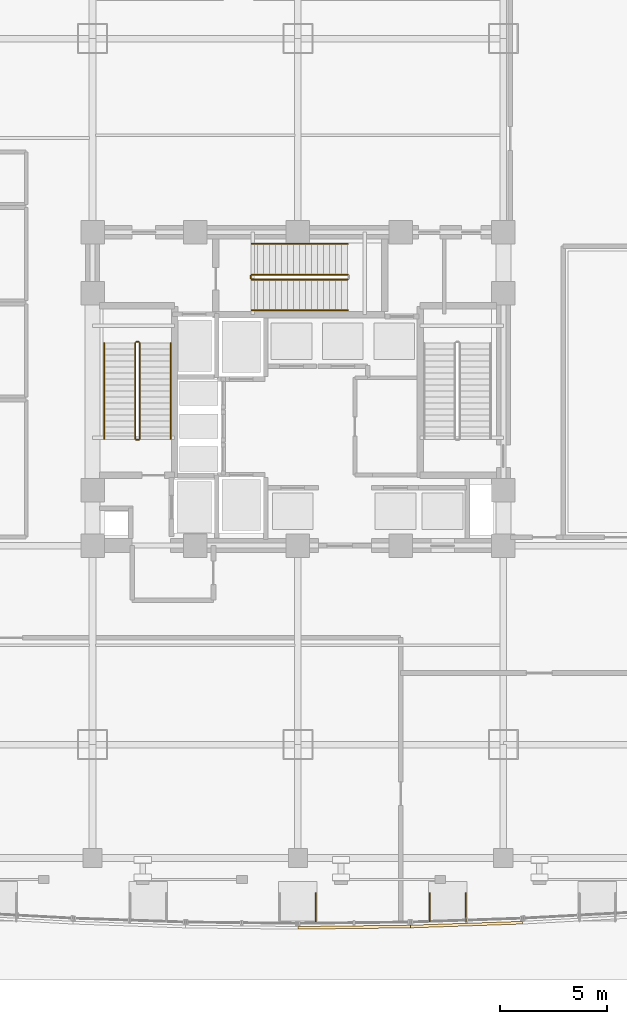
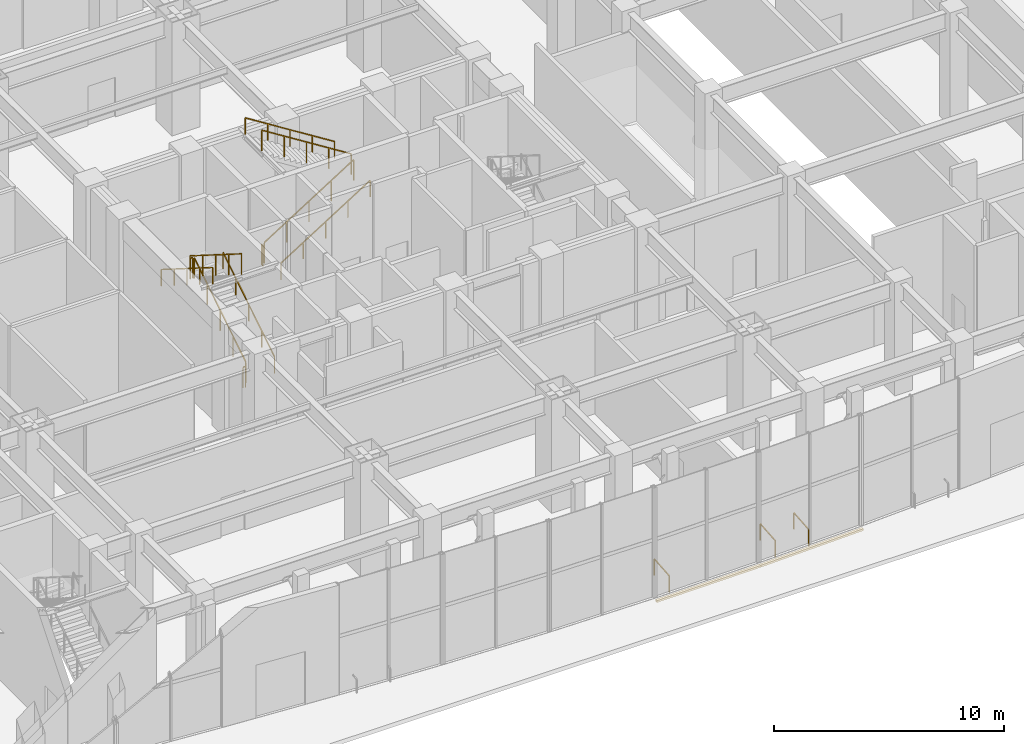
# One storey, part 18 of 23: 14 railings, 2 coverings.
"""IFC4 building model written with IfcOpenShell, lengths in metres."""

from ifc_helpers import new_model, si_unit, direction, frame, origin, origin_2d, place, context, subcontext, project, spatial, polyline, rectangle, outline, extrude, material, layer, layer_set, type_object, element, save


model = new_model("IFC4")

# Units and contexts
model_context = context("Model", 3, precision=1e-05, world=origin(), true_north=direction((0.0, 1.0)))
body_context = subcontext(model_context, "Body", "Model", "MODEL_VIEW")
ifc_project = project(units=[si_unit("LENGTHUNIT", "METRE"), si_unit("AREAUNIT", "SQUARE_METRE"), si_unit("VOLUMEUNIT", "CUBIC_METRE"), si_unit("PLANEANGLEUNIT", "RADIAN"), si_unit("MASSUNIT", "GRAM", prefix="KILO")], contexts=[model_context])

# Site, building, storey
site_placement = place(None, origin())
site = spatial("IfcSite", under=ifc_project, at=site_placement, CompositionType="ELEMENT")
building_placement = place(site_placement, origin())
building = spatial("IfcBuilding", under=site, at=building_placement, Name="Vantalir Tower", CompositionType="ELEMENT")
storey_placement = place(building_placement, origin())
storey = spatial("IfcBuildingStorey", under=building, at=storey_placement, Name="L00", CompositionType="ELEMENT", Elevation=0.0)

# Coverings
ifc_material_1 = material(Name="Anodised champagne aluminium sill fascia", Category="aluminium")
ifc_layer = layer(ifc_material_1, 0.125)
ifc_layer_set = layer_set([ifc_layer], Name="Anodised champagne aluminium sill fascia")
covering_type = type_object("IfcCoveringType", Name="COV-SLAB-FASCIA-125", PredefinedType="CLADDING", material=ifc_layer_set)
covering_1_placement = place(storey_placement, frame((0.0, 0.0, -0.179931640625)))
element("IfcCovering", 1, at=covering_1_placement, inside=storey, type_object=covering_type, Name="L00 South Prow Slab-Edge Fascia 07", PredefinedType="CLADDING", context=body_context, shape_type="SweptSolid", body=[
    extrude(outline(polyline([(31.5, 0.0), (31.5009765625, -0.125), (36.7509765625, -0.06396484375), (36.75, 0.06103515625), (31.5, 0.0)])), origin(), (0.0, 0.0, 1.0), 0.10498046875),
])
covering_2_placement = place(storey_placement, frame((0.0, 0.0, -0.179931640625)))
element("IfcCovering", 2, at=covering_2_placement, inside=storey, type_object=covering_type, Name="L00 South Prow Slab-Edge Fascia 08", PredefinedType="CLADDING", context=body_context, shape_type="SweptSolid", body=[
    extrude(outline(polyline([(36.75, 0.06103515625), (36.75390625, -0.06396484375), (42.00390625, 0.115966796875), (42.0, 0.240966796875), (36.75, 0.06103515625)])), origin(), (0.0, 0.0, 1.0), 0.10498046875),
])

# Railings
ifc_material_2 = material(Name="Anodised aluminium and stainless steel guard", Category="steel")
railing_type_1 = type_object("IfcRailingType", Name="RAL-GUARD-1120", PredefinedType="GUARDRAIL", material=ifc_material_2)
railing_1_placement = place(storey_placement, frame((24.110107421875, 22.7900390625, 0.176513671875)))
element("IfcRailing", 3, at=railing_1_placement, inside=storey, type_object=railing_type_1, Name="L00 ST1 stair guard 1", PredefinedType="GUARDRAIL", context=body_context, shape_type="SweptSolid", body=[
    extrude(rectangle(XDim=0.048095703125, YDim=0.048095703125, at=origin_2d()), frame((0.0, 0.0, 1.09619140625), z_axis=(0.0, 0.845997938375, 0.533186166611), x_axis=(-1.0, 0.0, 0.0)), (0.0, 0.0, 1.0), 5.29541015625),
    extrude(rectangle(XDim=0.0419921875, YDim=0.0419921875, at=origin_2d()), origin(), (0.0, 0.0, 1.0), 1.072021484375),
    extrude(rectangle(XDim=0.0419921875, YDim=0.0419921875, at=origin_2d()), frame((0.0, 1.1201171875, 0.705810546875)), (0.0, 0.0, 1.0), 1.072021484375),
    extrude(rectangle(XDim=0.0419921875, YDim=0.0419921875, at=origin_2d()), frame((0.0, 2.239990234375, 1.41162109375)), (0.0, 0.0, 1.0), 1.072021484375),
    extrude(rectangle(XDim=0.0419921875, YDim=0.0419921875, at=origin_2d()), frame((0.0, 3.35986328125, 2.11767578125)), (0.0, 0.0, 1.0), 1.072021484375),
    extrude(rectangle(XDim=0.0419921875, YDim=0.0419921875, at=origin_2d()), frame((0.0, 4.47998046875, 2.823486328125)), (0.0, 0.0, 1.0), 1.072021484375),
])
railing_2_placement = place(storey_placement, frame((24.06005859375, 27.320068359375, 3.0)))
element("IfcRailing", 4, at=railing_2_placement, inside=storey, type_object=railing_type_1, Name="L00 ST1 stair guard 2", PredefinedType="GUARDRAIL", context=body_context, shape_type="SweptSolid", body=[
    extrude(rectangle(XDim=0.048095703125, YDim=0.048095703125, at=origin_2d()), frame((0.0, 0.0, 1.09619140625), z_axis=(-1.0, 0.0, 0.0), x_axis=(0.0, -1.0, 0.0)), (0.0, 0.0, 1.0), 0.1201171875),
    extrude(rectangle(XDim=0.0419921875, YDim=0.0419921875, at=origin_2d()), origin(), (0.0, 0.0, 1.0), 1.072021484375),
    extrude(rectangle(XDim=0.0419921875, YDim=0.0419921875, at=origin_2d()), frame((-0.1201171875, 0.0, 0.0)), (0.0, 0.0, 1.0), 1.072021484375),
])
railing_3_placement = place(storey_placement, frame((23.889892578125, 27.27001953125, 3.176513671875)))
element("IfcRailing", 5, at=railing_3_placement, inside=storey, type_object=railing_type_1, Name="L00 ST1 stair guard 3", PredefinedType="GUARDRAIL", context=body_context, shape_type="SweptSolid", body=[
    extrude(rectangle(XDim=0.048095703125, YDim=0.048095703125, at=origin_2d()), frame((0.0, 0.0, 1.09619140625), z_axis=(0.0, -0.845997938375, 0.533186166611), x_axis=(1.0, 0.0, 0.0)), (0.0, 0.0, 1.0), 5.29541015625),
    extrude(rectangle(XDim=0.0419921875, YDim=0.0419921875, at=origin_2d()), origin(), (0.0, 0.0, 1.0), 1.072021484375),
    extrude(rectangle(XDim=0.0419921875, YDim=0.0419921875, at=origin_2d()), frame((0.0, -1.1201171875, 0.705810546875)), (0.0, 0.0, 1.0), 1.072021484375),
    extrude(rectangle(XDim=0.0419921875, YDim=0.0419921875, at=origin_2d()), frame((0.0, -2.239990234375, 1.41162109375)), (0.0, 0.0, 1.0), 1.072021484375),
    extrude(rectangle(XDim=0.0419921875, YDim=0.0419921875, at=origin_2d()), frame((0.0, -3.35986328125, 2.11767578125)), (0.0, 0.0, 1.0), 1.072021484375),
    extrude(rectangle(XDim=0.0419921875, YDim=0.0419921875, at=origin_2d()), frame((0.0, -4.47998046875, 2.823486328125)), (0.0, 0.0, 1.0), 1.072021484375),
])
railing_4_placement = place(storey_placement, frame((24.06005859375, 22.739990234375, 0.0)))
element("IfcRailing", 6, at=railing_4_placement, inside=storey, type_object=railing_type_1, Name="L00 ST1 stair guard 4", PredefinedType="GUARDRAIL", context=body_context, shape_type="SweptSolid", body=[
    extrude(rectangle(XDim=0.048095703125, YDim=0.048095703125, at=origin_2d()), frame((0.0, 0.0, 1.09619140625), z_axis=(-1.0, 0.0, 0.0), x_axis=(0.0, -1.0, 0.0)), (0.0, 0.0, 1.0), 0.1201171875),
    extrude(rectangle(XDim=0.0419921875, YDim=0.0419921875, at=origin_2d()), origin(), (0.0, 0.0, 1.0), 1.072021484375),
    extrude(rectangle(XDim=0.0419921875, YDim=0.0419921875, at=origin_2d()), frame((-0.1201171875, 0.0, 0.0)), (0.0, 0.0, 1.0), 1.072021484375),
])
railing_5_placement = place(storey_placement, frame((29.340087890625, 30.239990234375, 0.176513671875)))
element("IfcRailing", 7, at=railing_5_placement, inside=storey, type_object=railing_type_1, Name="L00 ST3 stair guard 1", PredefinedType="GUARDRAIL", context=body_context, shape_type="SweptSolid", body=[
    extrude(rectangle(XDim=0.048095703125, YDim=0.048095703125, at=origin_2d()), frame((0.0, 0.0, 1.09619140625), z_axis=(0.845997938375, 0.0, 0.533186166611), x_axis=(0.0, 1.0, 0.0)), (0.0, 0.0, 1.0), 5.29541015625),
    extrude(rectangle(XDim=0.0419921875, YDim=0.0419921875, at=origin_2d()), origin(), (0.0, 0.0, 1.0), 1.072021484375),
    extrude(rectangle(XDim=0.0419921875, YDim=0.0419921875, at=origin_2d()), frame((1.1201171875, 0.0, 0.705810546875)), (0.0, 0.0, 1.0), 1.072021484375),
    extrude(rectangle(XDim=0.0419921875, YDim=0.0419921875, at=origin_2d()), frame((2.239990234375, 0.0, 1.41162109375)), (0.0, 0.0, 1.0), 1.072021484375),
    extrude(rectangle(XDim=0.0419921875, YDim=0.0419921875, at=origin_2d()), frame((3.35986328125, 0.0, 2.11767578125)), (0.0, 0.0, 1.0), 1.072021484375),
    extrude(rectangle(XDim=0.0419921875, YDim=0.0419921875, at=origin_2d()), frame((4.47998046875, 0.0, 2.823486328125)), (0.0, 0.0, 1.0), 1.072021484375),
])
railing_6_placement = place(storey_placement, frame((33.820068359375, 30.4599609375, 3.176513671875)))
element("IfcRailing", 8, at=railing_6_placement, inside=storey, type_object=railing_type_1, Name="L00 ST3 stair guard 3", PredefinedType="GUARDRAIL", context=body_context, shape_type="SweptSolid", body=[
    extrude(rectangle(XDim=0.048095703125, YDim=0.048095703125, at=origin_2d()), frame((0.0, 0.0, 1.09619140625), z_axis=(-0.845997938375, 0.0, 0.533186166611), x_axis=(0.0, -1.0, 0.0)), (0.0, 0.0, 1.0), 5.29541015625),
    extrude(rectangle(XDim=0.0419921875, YDim=0.0419921875, at=origin_2d()), origin(), (0.0, 0.0, 1.0), 1.072021484375),
    extrude(rectangle(XDim=0.0419921875, YDim=0.0419921875, at=origin_2d()), frame((-1.1201171875, 0.0, 0.705810546875)), (0.0, 0.0, 1.0), 1.072021484375),
    extrude(rectangle(XDim=0.0419921875, YDim=0.0419921875, at=origin_2d()), frame((-2.239990234375, 0.0, 1.41162109375)), (0.0, 0.0, 1.0), 1.072021484375),
    extrude(rectangle(XDim=0.0419921875, YDim=0.0419921875, at=origin_2d()), frame((-3.35986328125, 0.0, 2.11767578125)), (0.0, 0.0, 1.0), 1.072021484375),
    extrude(rectangle(XDim=0.0419921875, YDim=0.0419921875, at=origin_2d()), frame((-4.47998046875, 0.0, 2.823486328125)), (0.0, 0.0, 1.0), 1.072021484375),
])
railing_7_placement = place(storey_placement, frame((29.2900390625, 30.2900390625, 0.0)))
element("IfcRailing", 9, at=railing_7_placement, inside=storey, type_object=railing_type_1, Name="L00 ST3 stair guard 4", PredefinedType="GUARDRAIL", context=body_context, shape_type="SweptSolid", body=[
    extrude(rectangle(XDim=0.048095703125, YDim=0.048095703125, at=origin_2d()), frame((0.0, 0.0, 1.09619140625), z_axis=(0.0, 1.0, 0.0), x_axis=(-1.0, 0.0, 0.0)), (0.0, 0.0, 1.0), 0.119873046875),
    extrude(rectangle(XDim=0.0419921875, YDim=0.0419921875, at=origin_2d()), origin(), (0.0, 0.0, 1.0), 1.072021484375),
    extrude(rectangle(XDim=0.0419921875, YDim=0.0419921875, at=origin_2d()), frame((0.0, 0.119873046875, 0.0)), (0.0, 0.0, 1.0), 1.072021484375),
])
ifc_material_3 = material(Name="Brushed stainless steel tubular handrail", Category="steel")
railing_type_2 = type_object("IfcRailingType", Name="RAL-HANDRAIL-900", PredefinedType="HANDRAIL", material=ifc_material_3)
railing_8_placement = place(storey_placement, frame((25.550048828125, 22.7900390625, 0.176513671875)))
element("IfcRailing", 10, at=railing_8_placement, inside=storey, type_object=railing_type_2, Name="L00 ST1 stair handrail 1", PredefinedType="HANDRAIL", context=body_context, shape_type="SweptSolid", body=[
    extrude(rectangle(XDim=0.048095703125, YDim=0.048095703125, at=origin_2d()), frame((0.0, 0.0, 0.8759765625), z_axis=(0.0, 0.845997938375, 0.533186166611), x_axis=(-1.0, 0.0, 0.0)), (0.0, 0.0, 1.0), 5.29541015625),
    extrude(rectangle(XDim=0.0419921875, YDim=0.0419921875, at=origin_2d()), origin(), (0.0, 0.0, 1.0), 0.851806640625),
    extrude(rectangle(XDim=0.0419921875, YDim=0.0419921875, at=origin_2d()), frame((0.0, 1.1201171875, 0.705810546875)), (0.0, 0.0, 1.0), 0.851806640625),
    extrude(rectangle(XDim=0.0419921875, YDim=0.0419921875, at=origin_2d()), frame((0.0, 2.239990234375, 1.41162109375)), (0.0, 0.0, 1.0), 0.851806640625),
    extrude(rectangle(XDim=0.0419921875, YDim=0.0419921875, at=origin_2d()), frame((0.0, 3.35986328125, 2.11767578125)), (0.0, 0.0, 1.0), 0.851806640625),
    extrude(rectangle(XDim=0.0419921875, YDim=0.0419921875, at=origin_2d()), frame((0.0, 4.47998046875, 2.823486328125)), (0.0, 0.0, 1.0), 0.851806640625),
])
railing_9_placement = place(storey_placement, frame((22.449951171875, 27.27001953125, 3.176513671875)))
element("IfcRailing", 11, at=railing_9_placement, inside=storey, type_object=railing_type_2, Name="L00 ST1 stair handrail 2", PredefinedType="HANDRAIL", context=body_context, shape_type="SweptSolid", body=[
    extrude(rectangle(XDim=0.048095703125, YDim=0.048095703125, at=origin_2d()), frame((0.0, 0.0, 0.8759765625), z_axis=(0.0, -0.845997938375, 0.533186166611), x_axis=(1.0, 0.0, 0.0)), (0.0, 0.0, 1.0), 5.29541015625),
    extrude(rectangle(XDim=0.0419921875, YDim=0.0419921875, at=origin_2d()), origin(), (0.0, 0.0, 1.0), 0.851806640625),
    extrude(rectangle(XDim=0.0419921875, YDim=0.0419921875, at=origin_2d()), frame((0.0, -1.1201171875, 0.705810546875)), (0.0, 0.0, 1.0), 0.851806640625),
    extrude(rectangle(XDim=0.0419921875, YDim=0.0419921875, at=origin_2d()), frame((0.0, -2.239990234375, 1.41162109375)), (0.0, 0.0, 1.0), 0.851806640625),
    extrude(rectangle(XDim=0.0419921875, YDim=0.0419921875, at=origin_2d()), frame((0.0, -3.35986328125, 2.11767578125)), (0.0, 0.0, 1.0), 0.851806640625),
    extrude(rectangle(XDim=0.0419921875, YDim=0.0419921875, at=origin_2d()), frame((0.0, -4.47998046875, 2.823486328125)), (0.0, 0.0, 1.0), 0.851806640625),
])
railing_10_placement = place(storey_placement, frame((29.340087890625, 28.800048828125, 0.176513671875)))
element("IfcRailing", 12, at=railing_10_placement, inside=storey, type_object=railing_type_2, Name="L00 ST3 stair handrail 1", PredefinedType="HANDRAIL", context=body_context, shape_type="SweptSolid", body=[
    extrude(rectangle(XDim=0.048095703125, YDim=0.048095703125, at=origin_2d()), frame((0.0, 0.0, 0.8759765625), z_axis=(0.845997938375, 0.0, 0.533186166611), x_axis=(0.0, 1.0, 0.0)), (0.0, 0.0, 1.0), 5.29541015625),
    extrude(rectangle(XDim=0.0419921875, YDim=0.0419921875, at=origin_2d()), origin(), (0.0, 0.0, 1.0), 0.851806640625),
    extrude(rectangle(XDim=0.0419921875, YDim=0.0419921875, at=origin_2d()), frame((1.1201171875, 0.0, 0.705810546875)), (0.0, 0.0, 1.0), 0.851806640625),
    extrude(rectangle(XDim=0.0419921875, YDim=0.0419921875, at=origin_2d()), frame((2.239990234375, 0.0, 1.41162109375)), (0.0, 0.0, 1.0), 0.851806640625),
    extrude(rectangle(XDim=0.0419921875, YDim=0.0419921875, at=origin_2d()), frame((3.35986328125, 0.0, 2.11767578125)), (0.0, 0.0, 1.0), 0.851806640625),
    extrude(rectangle(XDim=0.0419921875, YDim=0.0419921875, at=origin_2d()), frame((4.47998046875, 0.0, 2.823486328125)), (0.0, 0.0, 1.0), 0.851806640625),
])
railing_11_placement = place(storey_placement, frame((33.820068359375, 31.89990234375, 3.176513671875)))
element("IfcRailing", 13, at=railing_11_placement, inside=storey, type_object=railing_type_2, Name="L00 ST3 stair handrail 2", PredefinedType="HANDRAIL", context=body_context, shape_type="SweptSolid", body=[
    extrude(rectangle(XDim=0.048095703125, YDim=0.048095703125, at=origin_2d()), frame((0.0, 0.0, 0.8759765625), z_axis=(-0.845997938375, 0.0, 0.533186166611), x_axis=(0.0, -1.0, 0.0)), (0.0, 0.0, 1.0), 5.29541015625),
    extrude(rectangle(XDim=0.0419921875, YDim=0.0419921875, at=origin_2d()), origin(), (0.0, 0.0, 1.0), 0.851806640625),
    extrude(rectangle(XDim=0.0419921875, YDim=0.0419921875, at=origin_2d()), frame((-1.1201171875, 0.0, 0.705810546875)), (0.0, 0.0, 1.0), 0.851806640625),
    extrude(rectangle(XDim=0.0419921875, YDim=0.0419921875, at=origin_2d()), frame((-2.239990234375, 0.0, 1.41162109375)), (0.0, 0.0, 1.0), 0.851806640625),
    extrude(rectangle(XDim=0.0419921875, YDim=0.0419921875, at=origin_2d()), frame((-3.35986328125, 0.0, 2.11767578125)), (0.0, 0.0, 1.0), 0.851806640625),
    extrude(rectangle(XDim=0.0419921875, YDim=0.0419921875, at=origin_2d()), frame((-4.47998046875, 0.0, 2.823486328125)), (0.0, 0.0, 1.0), 0.851806640625),
])
for number, where, name in (
    (14, (32.340087890625, 0.2509765625, -0.14990234375), "Accessible Ramp 3 Handrail E"),
    (15, (37.659912109375, 0.2509765625, -0.14990234375), "Accessible Ramp 4 Handrail W"),
    (16, (39.340087890625, 0.2509765625, -0.14990234375), "Accessible Ramp 4 Handrail E"),
):
    element("IfcRailing", number, at=place(storey_placement, frame(where)), inside=storey, type_object=railing_type_2, Name=name, PredefinedType="HANDRAIL", context=body_context, shape_type="SweptSolid", body=[
        extrude(rectangle(XDim=0.048095703125, YDim=0.048095703125, at=origin_2d()), frame((0.0, 0.0, 0.8759765625), z_axis=(0.0, 0.996442978408, 0.0842697501), x_axis=(-1.0, 0.0, 0.0)), (0.0, 0.0, 1.0), 1.3037109375),
        extrude(rectangle(XDim=0.0419921875, YDim=0.0419921875, at=origin_2d()), origin(), (0.0, 0.0, 1.0), 0.851806640625),
        extrude(rectangle(XDim=0.0419921875, YDim=0.0419921875, at=origin_2d()), frame((0.0, 1.299072265625, 0.10986328125)), (0.0, 0.0, 1.0), 0.851806640625),
    ])

save(model, "model.ifc")
